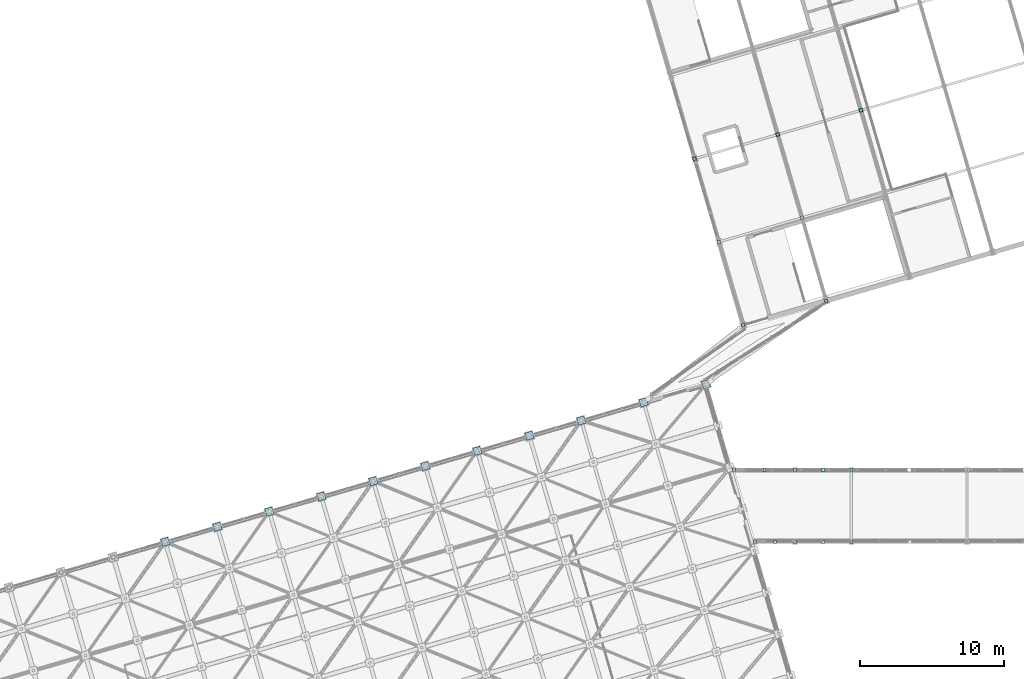
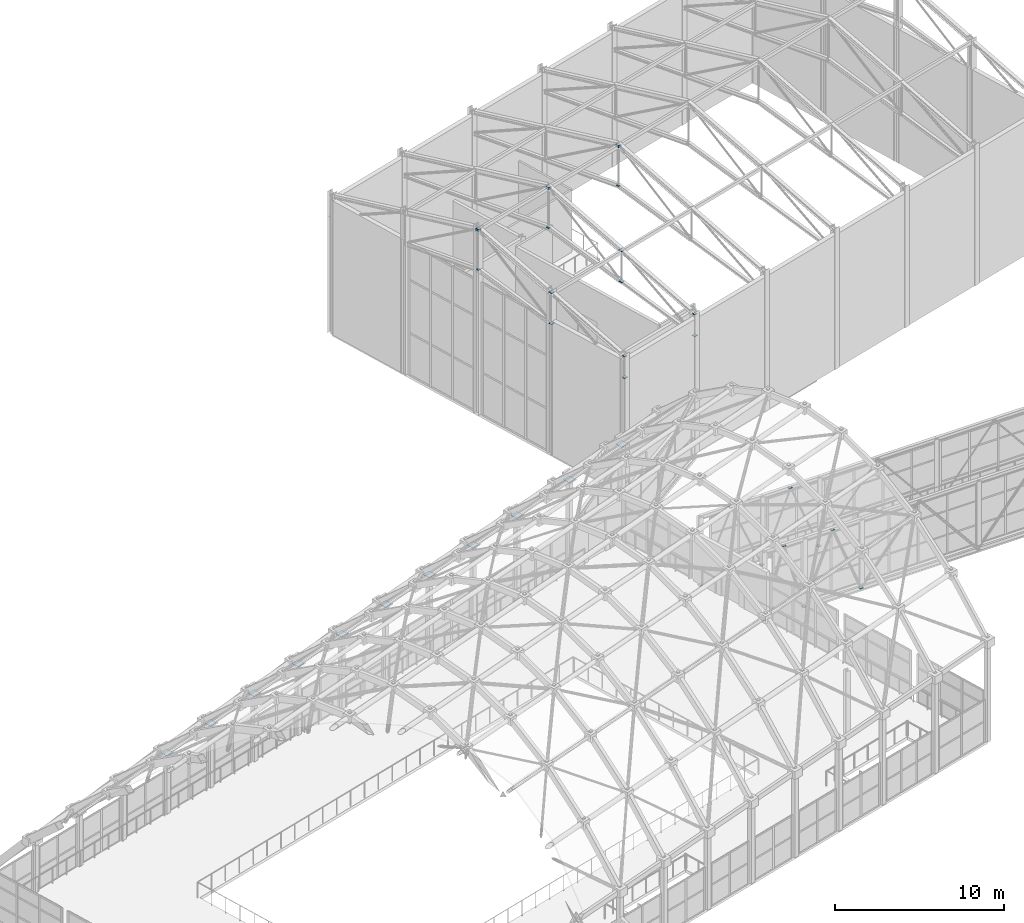
# One storey, part 217 of 248: 38 plates.
"""IFC4 building model written with IfcOpenShell, lengths in metres."""

from ifc_helpers import new_model, si_unit, direction, frame, origin, origin_2d, place, context, subcontext, project, spatial, rectangle, extrude, material, layer, layer_set, type_object, element, save


model = new_model("IFC4")

# Units and contexts
model_context = context("Model", 3, precision=1e-05, world=origin(), true_north=direction((0.0, 1.0)))
body_context = subcontext(model_context, "Body", "Model", "MODEL_VIEW")
ifc_project = project(units=[si_unit("LENGTHUNIT", "METRE"), si_unit("AREAUNIT", "SQUARE_METRE"), si_unit("VOLUMEUNIT", "CUBIC_METRE"), si_unit("PLANEANGLEUNIT", "RADIAN"), si_unit("MASSUNIT", "GRAM", prefix="KILO")], contexts=[model_context])

# Site, building, storey
site_placement = place(None, origin())
site = spatial("IfcSite", under=ifc_project, at=site_placement, CompositionType="ELEMENT")
building_placement = place(site_placement, origin())
building = spatial("IfcBuilding", under=site, at=building_placement, Name="Canggui Botanical Conservatory", CompositionType="ELEMENT")
storey_placement = place(building_placement, frame((0.0, 0.0, 5.39990234375)))
storey = spatial("IfcBuildingStorey", under=building, at=storey_placement, Name="L02", CompositionType="ELEMENT", Elevation=5.39990234375)

# Plates
ifc_material_1 = material(Name="Steel Q355B", Category="steel")
ifc_layer_1 = layer(ifc_material_1, 0.02001953125, Name="Steel Q355B", Category="steel")
ifc_layer_set_1 = layer_set([ifc_layer_1], Name="Steel Q355B")
plate_type_1 = type_object("IfcPlateType", Name="PLT-CAP-20", PredefinedType="USERDEFINED", material=ifc_layer_set_1)
for number, where, z_axis, x_axis, name in (
    (1, (66.0, 90.0, 8.39013671875), (0.0, 0.0, 1.0), (0.960000000041, 0.279999999861, 0.0), "CP-AT-01-WB1-0"),
    (2, (64.320068359375, 95.760009765625, 11.64013671875), (0.0, 0.0, 1.0), (0.960000000041, 0.279999999861, 0.0), "CP-AT-01-WB1-1"),
    (3, (64.320068359375, 95.760009765625, 9.39013671875), (0.0, 0.0, 1.0), (0.960000000041, 0.279999999861, 0.0), "CP-AT-01-WB2-0"),
    (4, (62.639892578125, 101.52001953125, 13.340087890625), (0.0, 0.0, 1.0), (0.960000000041, 0.279999999861, 0.0), "CP-AT-01-WB2-1"),
):
    element("IfcPlate", number, at=place(storey_placement, frame(where, z_axis=z_axis, x_axis=x_axis)), inside=storey, type_object=plate_type_1, Name=name, ObjectType="END CAP PLATE", PredefinedType="USERDEFINED", context=body_context, shape_type="SweptSolid", body=[
        extrude(rectangle(XDim=0.239990234375, YDim=0.239990234375, at=origin_2d()), origin(), (0.0, 0.0, 1.0), 0.02001953125),
    ])
for number, where, z_axis, x_axis, name in (
    (5, (66.0, 90.0, 9.940185546875), (0.0, 0.0, 1.0), (0.960000000041, 0.279999999861, 0.0), "CP-AT-01-VT1-1"),
    (6, (62.639892578125, 101.52001953125, 10.39013671875), (0.0, 0.0, 1.0), (0.960000000041, 0.279999999861, 0.0), "CP-AT-01-VT3-0"),
):
    element("IfcPlate", number, at=place(storey_placement, frame(where, z_axis=z_axis, x_axis=x_axis)), inside=storey, type_object=plate_type_1, Name=name, ObjectType="END CAP PLATE", PredefinedType="USERDEFINED", context=body_context, shape_type="SweptSolid", body=[
        extrude(rectangle(XDim=0.199951171875, YDim=0.199951171875, at=origin_2d()), origin(), (0.0, 0.0, 1.0), 0.02001953125),
    ])
for number, where, z_axis, x_axis, name in (
    (7, (71.760009765625, 91.679931640625, 8.39013671875), (0.0, 0.0, 1.0), (0.960000000041, 0.279999999861, 0.0), "CP-AT-02-WB1-0"),
    (8, (70.080078125, 97.43994140625, 11.64013671875), (0.0, 0.0, 1.0), (0.960000000041, 0.279999999861, 0.0), "CP-AT-02-WB1-1"),
    (9, (70.080078125, 97.43994140625, 9.39013671875), (0.0, 0.0, 1.0), (0.960000000041, 0.279999999861, 0.0), "CP-AT-02-WB2-0"),
    (10, (68.39990234375, 103.199951171875, 13.340087890625), (0.0, 0.0, 1.0), (0.960000000041, 0.279999999861, 0.0), "CP-AT-02-WB2-1"),
):
    element("IfcPlate", number, at=place(storey_placement, frame(where, z_axis=z_axis, x_axis=x_axis)), inside=storey, type_object=plate_type_1, Name=name, ObjectType="END CAP PLATE", PredefinedType="USERDEFINED", context=body_context, shape_type="SweptSolid", body=[
        extrude(rectangle(XDim=0.239990234375, YDim=0.239990234375, at=origin_2d()), origin(), (0.0, 0.0, 1.0), 0.02001953125),
    ])
for number, where, z_axis, x_axis, name in (
    (11, (71.760009765625, 91.679931640625, 9.940185546875), (0.0, 0.0, 1.0), (0.960000000041, 0.279999999861, 0.0), "CP-AT-02-VT1-1"),
    (12, (68.39990234375, 103.199951171875, 10.39013671875), (0.0, 0.0, 1.0), (0.960000000041, 0.279999999861, 0.0), "CP-AT-02-VT3-0"),
):
    element("IfcPlate", number, at=place(storey_placement, frame(where, z_axis=z_axis, x_axis=x_axis)), inside=storey, type_object=plate_type_1, Name=name, ObjectType="END CAP PLATE", PredefinedType="USERDEFINED", context=body_context, shape_type="SweptSolid", body=[
        extrude(rectangle(XDim=0.199951171875, YDim=0.199951171875, at=origin_2d()), origin(), (0.0, 0.0, 1.0), 0.02001953125),
    ])
plate_1_placement = place(storey_placement, frame((74.159912109375, 104.8798828125, 13.340087890625), z_axis=(0.0, 0.0, 1.0), x_axis=(0.960000000041, 0.279999999861, 0.0)))
element("IfcPlate", 13, at=plate_1_placement, inside=storey, type_object=plate_type_1, Name="CP-AT-03-WB2-1", ObjectType="END CAP PLATE", PredefinedType="USERDEFINED", context=body_context, shape_type="SweptSolid", body=[
    extrude(rectangle(XDim=0.239990234375, YDim=0.239990234375, at=origin_2d()), origin(), (0.0, 0.0, 1.0), 0.02001953125),
])
plate_2_placement = place(storey_placement, frame((74.159912109375, 104.8798828125, 10.39013671875), z_axis=(0.0, 0.0, 1.0), x_axis=(0.960000000041, 0.279999999861, 0.0)))
element("IfcPlate", 14, at=plate_2_placement, inside=storey, type_object=plate_type_1, Name="CP-AT-03-VT3-0", ObjectType="END CAP PLATE", PredefinedType="USERDEFINED", context=body_context, shape_type="SweptSolid", body=[
    extrude(rectangle(XDim=0.199951171875, YDim=0.199951171875, at=origin_2d()), origin(), (0.0, 0.0, 1.0), 0.02001953125),
])
for number, where, z_axis, x_axis, name in (
    (15, (62.639892578125, 101.52001953125, 13.239990234375), (0.0, 0.0, 1.0), (0.960000000041, 0.279999999861, 0.0), "CP-AUD-PUR-01-2-0"),
    (16, (68.39990234375, 103.199951171875, 13.239990234375), (0.0, 0.0, 1.0), (0.960000000041, 0.279999999861, 0.0), "CP-AUD-PUR-01-2-1"),
    (17, (74.159912109375, 104.8798828125, 13.239990234375), (0.0, 0.0, 1.0), (0.960000000041, 0.279999999861, 0.0), "CP-AUD-PUR-02-2-1"),
):
    element("IfcPlate", number, at=place(storey_placement, frame(where, z_axis=z_axis, x_axis=x_axis)), inside=storey, type_object=plate_type_1, Name=name, ObjectType="END CAP PLATE", PredefinedType="USERDEFINED", context=body_context, shape_type="SweptSolid", body=[
        extrude(rectangle(XDim=0.280029296875, YDim=0.280029296875, at=origin_2d()), origin(), (0.0, 0.0, 1.0), 0.02001953125),
    ])
for number, where, z_axis, x_axis, name in (
    (18, (66.830078125, 75.0, -0.35986328125), (0.0, 0.0, 1.0), (1.0, 0.0, 0.0), "CP-SB-04-WBM-0-1A-0"),
    (19, (68.215087890625, 75.0, 4.5400390625), (0.0, 0.0, 1.0), (1.0, 0.0, 0.0), "CP-SB-04-WBM-0-1A-1"),
    (20, (69.60009765625, 75.0, -0.35986328125), (0.0, 0.0, 1.0), (1.0, 0.0, 0.0), "CP-SB-04-WBM-0-1B-1"),
    (21, (71.550048828125, 75.0, 4.5400390625), (0.0, 0.0, 1.0), (1.0, 0.0, 0.0), "CP-SB-04-WBM-0-2A-1"),
    (22, (73.5, 75.0, -0.35986328125), (0.0, 0.0, 1.0), (1.0, 0.0, 0.0), "CP-SB-04-WBM-0-2B-1"),
    (23, (65.3701171875, 80.0, -0.35986328125), (0.0, 0.0, 1.0), (1.0, 0.0, 0.0), "CP-SB-04-WBM-1-1A-0"),
    (24, (67.485107421875, 80.0, 4.5400390625), (0.0, 0.0, 1.0), (1.0, 0.0, 0.0), "CP-SB-04-WBM-1-1A-1"),
    (25, (69.60009765625, 80.0, -0.35986328125), (0.0, 0.0, 1.0), (1.0, 0.0, 0.0), "CP-SB-04-WBM-1-1B-1"),
    (26, (71.550048828125, 80.0, 4.5400390625), (0.0, 0.0, 1.0), (1.0, 0.0, 0.0), "CP-SB-04-WBM-1-2A-1"),
    (27, (73.5, 80.0, -0.35986328125), (0.0, 0.0, 1.0), (1.0, 0.0, 0.0), "CP-SB-04-WBM-1-2B-1"),
):
    element("IfcPlate", number, at=place(storey_placement, frame(where, z_axis=z_axis, x_axis=x_axis)), inside=storey, type_object=plate_type_1, Name=name, ObjectType="END CAP PLATE", PredefinedType="USERDEFINED", context=body_context, shape_type="SweptSolid", body=[
        extrude(rectangle(XDim=0.219970703125, YDim=0.219970703125, at=origin_2d()), origin(), (0.0, 0.0, 1.0), 0.02001953125),
    ])
ifc_material_2 = material(Name="Steel Q355C", Category="steel")
ifc_layer_2 = layer(ifc_material_2, 0.02392578125, Name="Steel Q355C", Category="steel")
ifc_layer_set_2 = layer_set([ifc_layer_2], Name="Steel Q355C")
plate_type_2 = type_object("IfcPlateType", Name="PLT-GUSSET-24", PredefinedType="USERDEFINED", material=ifc_layer_set_2)
for number, where, z_axis, x_axis, name in (
    (28, (26.0, 75.0, 4.328125), (0.0, 0.0, 1.0), (0.960000000041, 0.279999999861, 0.0), "Gridshell Arch Base Gusset Plate GS-N055"),
    (29, (29.60009765625, 76.050048828125, 4.578125), (0.0, 0.0, 1.0), (0.960000000041, 0.279999999861, 0.0), "Gridshell Arch Base Gusset Plate GS-N066"),
    (30, (33.199951171875, 77.10009765625, 4.828125), (0.0, 0.0, 1.0), (0.960000000041, 0.279999999861, 0.0), "Gridshell Arch Base Gusset Plate GS-N077"),
    (31, (36.800048828125, 78.14990234375, 5.078125), (0.0, 0.0, 1.0), (0.960000000041, 0.279999999861, 0.0), "Gridshell Arch Base Gusset Plate GS-N088"),
    (32, (40.39990234375, 79.199951171875, 5.328125), (0.0, 0.0, 1.0), (0.960000000041, 0.279999999861, 0.0), "Gridshell Arch Base Gusset Plate GS-N099"),
    (33, (44.0, 80.25, 5.578125), (0.0, 0.0, 1.0), (0.960000000041, 0.279999999861, 0.0), "Gridshell Arch Base Gusset Plate GS-N110"),
    (34, (47.60009765625, 81.300048828125, 5.828125), (0.0, 0.0, 1.0), (0.960000000041, 0.279999999861, 0.0), "Gridshell Arch Base Gusset Plate GS-N121"),
    (35, (51.199951171875, 82.35009765625, 6.078125), (0.0, 0.0, 1.0), (0.960000000041, 0.279999999861, 0.0), "Gridshell Arch Base Gusset Plate GS-N132"),
    (36, (54.800048828125, 83.39990234375, 6.328125), (0.0, 0.0, 1.0), (0.960000000041, 0.279999999861, 0.0), "Gridshell Arch Base Gusset Plate GS-N143"),
    (37, (59.1201171875, 84.659912109375, 6.628173828125), (0.0, 0.0, 1.0), (0.960000000041, 0.279999999861, 0.0), "Gridshell Arch Base Gusset Plate GS-N154"),
    (38, (63.43994140625, 85.919921875, 6.92822265625), (0.0, 0.0, 1.0), (0.960000000041, 0.279999999861, 0.0), "Gridshell Arch Base Gusset Plate GS-N165"),
):
    element("IfcPlate", number, at=place(storey_placement, frame(where, z_axis=z_axis, x_axis=x_axis)), inside=storey, type_object=plate_type_2, Name=name, ObjectType="GUSSET PLATE", PredefinedType="USERDEFINED", context=body_context, shape_type="SweptSolid", body=[
        extrude(rectangle(XDim=0.52001953125, YDim=0.52001953125, at=origin_2d()), origin(), (0.0, 0.0, 1.0), 0.02392578125),
    ])

save(model, "model.ifc")
